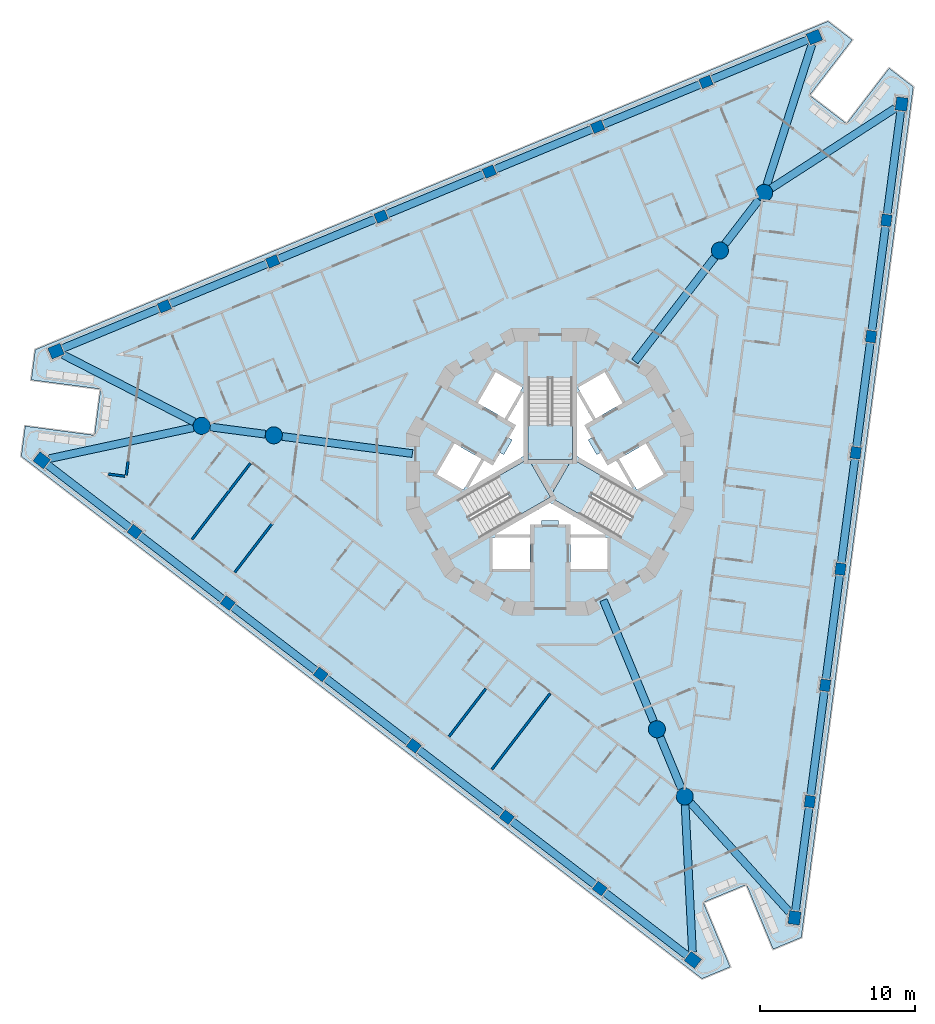
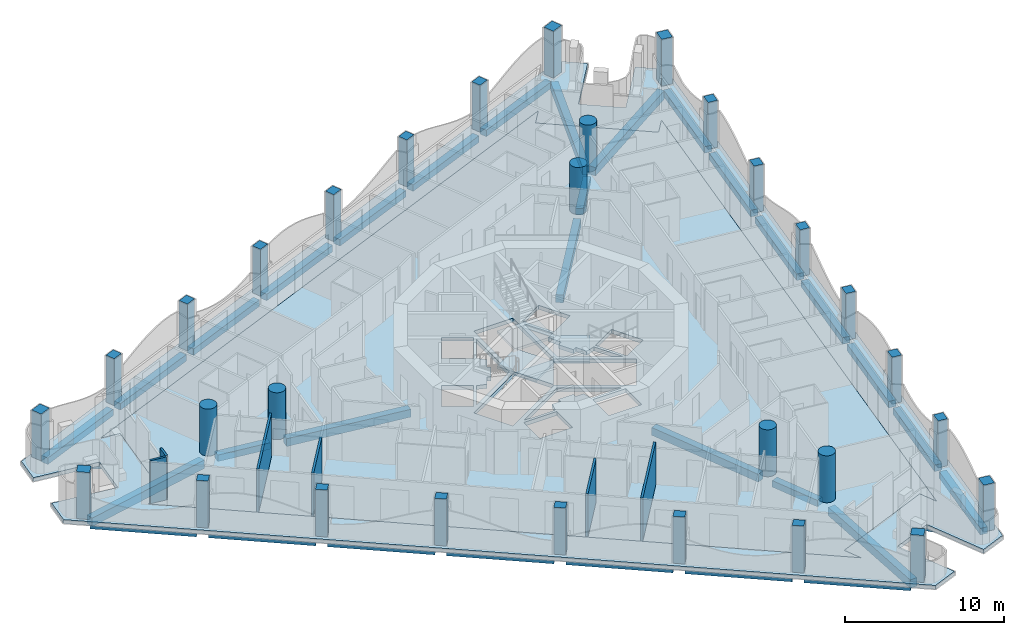
# One storey, part 1 of 17: 33 beams, 30 columns, 6 slabs, 6 walls, 3 elements without a shape of their own.
"""IFC4 building model written with IfcOpenShell, lengths in metres."""

from ifc_helpers import new_model, si_unit, direction, frame, frame_2d, origin, origin_2d, place, context, subcontext, project, spatial, polyline, rectangle, circle, outline, extrude, material, layer, layer_set, material_profile, profile_set, type_object, element, aggregate, save


model = new_model("IFC4")

# Units and contexts
model_context = context("Model", 3, precision=1e-05, world=origin(), true_north=direction((0.0, 1.0)))
body_context = subcontext(model_context, "Body", "Model", "MODEL_VIEW")
ifc_project = project(units=[si_unit("LENGTHUNIT", "METRE"), si_unit("AREAUNIT", "SQUARE_METRE"), si_unit("VOLUMEUNIT", "CUBIC_METRE"), si_unit("PLANEANGLEUNIT", "RADIAN"), si_unit("MASSUNIT", "GRAM", prefix="KILO")], contexts=[model_context])

# Site, building, storey
site_placement = place(None, origin())
site = spatial("IfcSite", under=ifc_project, at=site_placement, CompositionType="ELEMENT")
building_placement = place(site_placement, origin())
building = spatial("IfcBuilding", under=site, at=building_placement, Name="Trine Commons Tower", CompositionType="ELEMENT")
storey_placement = place(building_placement, frame((0.0, 0.0, 131.39990234375)))
storey = spatial("IfcBuildingStorey", under=building, at=storey_placement, Name="L33", CompositionType="ELEMENT", Elevation=131.39990234375)

# Columns
ifc_material_1 = material(Name="Concrete C70/85", Category="concrete")
ifc_material_profile_1 = material_profile(ifc_material_1, rectangle(XDim=0.75, YDim=0.64990234375, at=origin_2d()), Name="RC 750x650")
ifc_profile_set_1 = profile_set([ifc_material_profile_1], Name="Concrete C70/85")
column_type_1 = type_object("IfcColumnType", Name="RC column 750x650, C70/85", PredefinedType="COLUMN", material=ifc_profile_set_1)
for number, where, z_axis, x_axis, name in (
    (1, (83.197021484375, 35.652587890625, 0.0), (0.0, 0.0, 1.0), (-0.793353340291, 0.608761429009, 0.0), "Column PC4-02 L33"),
    (2, (77.20556640625, 40.25, 0.0), (0.0, 0.0, 1.0), (-0.793353340291, 0.608761429009, 0.0), "Column PC4-03 L33"),
    (3, (71.214111328125, 44.847412109375, 0.0), (0.0, 0.0, 1.0), (-0.793353340291, 0.608761429009, 0.0), "Column PC4-04 L33"),
    (4, (65.222900390625, 49.444580078125, 0.0), (0.0, 0.0, 1.0), (-0.793353340291, 0.608761429009, 0.0), "Column PC4-05 L33"),
    (5, (59.2314453125, 54.0419921875, 0.0), (0.0, 0.0, 1.0), (-0.793353340291, 0.608761429009, 0.0), "Column PC4-06 L33"),
    (6, (53.239990234375, 58.639404296875, 0.0), (0.0, 0.0, 1.0), (-0.793353340291, 0.608761429009, 0.0), "Column PC4-07 L33"),
    (7, (55.151123046875, 73.155029296875, 0.0), (0.0, 0.0, 1.0), (0.923879532511, 0.382683432365, 0.0), "Column PC4-10 L33"),
    (8, (62.128173828125, 76.044921875, 0.0), (0.0, 0.0, 1.0), (0.923879532511, 0.382683432365, 0.0), "Column PC4-11 L33"),
    (9, (69.105224609375, 78.93505859375, 0.0), (0.0, 0.0, 1.0), (0.923879532511, 0.382683432365, 0.0), "Column PC4-12 L33"),
    (10, (76.08251953125, 81.8251953125, 0.0), (0.0, 0.0, 1.0), (0.923879532511, 0.382683432365, 0.0), "Column PC4-13 L33"),
    (11, (83.0595703125, 84.715087890625, 0.0), (0.0, 0.0, 1.0), (0.923879532511, 0.382683432365, 0.0), "Column PC4-14 L33"),
    (12, (90.03662109375, 87.60498046875, 0.0), (0.0, 0.0, 1.0), (0.923879532511, 0.382683432365, 0.0), "Column PC4-15 L33"),
    (13, (101.652099609375, 78.692138671875, 0.0), (0.0, 0.0, 1.0), (0.13052619222, 0.991444861374, 0.0), "Column PC4-18 L33"),
    (14, (100.666259765625, 71.204833984375, 0.0), (0.0, 0.0, 1.0), (0.13052619222, 0.991444861374, 0.0), "Column PC4-19 L33"),
    (15, (99.680419921875, 63.717529296875, 0.0), (0.0, 0.0, 1.0), (0.13052619222, 0.991444861374, 0.0), "Column PC4-20 L33"),
    (16, (98.69482421875, 56.230224609375, 0.0), (0.0, 0.0, 1.0), (0.13052619222, 0.991444861374, 0.0), "Column PC4-21 L33"),
    (17, (97.708984375, 48.742919921875, 0.0), (0.0, 0.0, 1.0), (0.13052619222, 0.991444861374, 0.0), "Column PC4-22 L33"),
    (18, (96.723388671875, 41.255615234375, 0.0), (0.0, 0.0, 1.0), (0.13052619222, 0.991444861374, 0.0), "Column PC4-23 L33"),
):
    element("IfcColumn", number, at=place(storey_placement, frame(where, z_axis=z_axis, x_axis=x_axis)), inside=storey, type_object=column_type_1, Name=name, PredefinedType="COLUMN", context=body_context, shape_type="SweptSolid", body=[
        extrude(rectangle(XDim=0.75, YDim=0.64990234375, at=origin_2d()), origin(), (0.0, 0.0, 1.0), 3.60009765625),
    ])
ifc_material_profile_2 = material_profile(ifc_material_1, rectangle(XDim=0.85009765625, YDim=0.75, at=origin_2d()), Name="RC 850x750")
ifc_profile_set_2 = profile_set([ifc_material_profile_2], Name="Concrete C70/85")
column_type_2 = type_object("IfcColumnType", Name="RC column 850x750, C70/85", PredefinedType="COLUMN", material=ifc_profile_set_2)
for number, where, z_axis, x_axis, name in (
    (19, (89.188232421875, 31.055419921875, 0.0), (0.0, 0.0, 1.0), (-0.793353340291, 0.608761429009, 0.0), "Column PC4-01 L33"),
    (20, (47.248779296875, 63.23681640625, 0.0), (0.0, 0.0, 1.0), (-0.793353340291, 0.608761429009, 0.0), "Column PC4-08 L33"),
    (21, (48.174072265625, 70.264892578125, 0.0), (0.0, 0.0, 1.0), (0.923879532511, 0.382683432365, 0.0), "Column PC4-09 L33"),
    (22, (97.013671875, 90.4951171875, 0.0), (0.0, 0.0, 1.0), (0.923879532511, 0.382683432365, 0.0), "Column PC4-16 L33"),
    (23, (102.6376953125, 86.1796875, 0.0), (0.0, 0.0, 1.0), (0.13052619222, 0.991444861374, 0.0), "Column PC4-17 L33"),
    (24, (95.737548828125, 33.768310546875, 0.0), (0.0, 0.0, 1.0), (0.13052619222, 0.991444861374, 0.0), "Column PC4-24 L33"),
):
    element("IfcColumn", number, at=place(storey_placement, frame(where, z_axis=z_axis, x_axis=x_axis)), inside=storey, type_object=column_type_2, Name=name, PredefinedType="COLUMN", context=body_context, shape_type="SweptSolid", body=[
        extrude(rectangle(XDim=0.85009765625, YDim=0.75, at=origin_2d()), origin(), (0.0, 0.0, 1.0), 3.60009765625),
    ])
ifc_material_profile_3 = material_profile(ifc_material_1, circle(Radius=0.550048828125, at=origin_2d()), Name="RC round 1100")
ifc_profile_set_3 = profile_set([ifc_material_profile_3], Name="Concrete C70/85")
column_type_3 = type_object("IfcColumnType", Name="RC round column 1100 mm, C70/85", PredefinedType="COLUMN", material=ifc_profile_set_3)
for number, where, z_axis, x_axis, name in (
    (25, (86.87109375, 45.912109375, 0.0), (0.0, 0.0, 1.0), (1.0, 0.0, 0.0), "Column WC4-1 L33"),
    (26, (88.66259765625, 41.58642578125, 0.0), (0.0, 0.0, 1.0), (1.0, 0.0, 0.0), "Column WC4-2 L33"),
    (27, (90.93017578125, 76.744384765625, 0.0), (0.0, 0.0, 1.0), (1.0, 0.0, 0.0), "Column WC4-3 L33"),
    (28, (93.7802734375, 80.458984375, 0.0), (0.0, 0.0, 1.0), (1.0, 0.0, 0.0), "Column WC4-4 L33"),
    (29, (62.198974609375, 64.843505859375, 0.0), (0.0, 0.0, 1.0), (1.0, 0.0, 0.0), "Column WC4-5 L33"),
    (30, (57.556884765625, 65.45458984375, 0.0), (0.0, 0.0, 1.0), (1.0, 0.0, 0.0), "Column WC4-6 L33"),
):
    element("IfcColumn", number, at=place(storey_placement, frame(where, z_axis=z_axis, x_axis=x_axis)), inside=storey, type_object=column_type_3, Name=name, PredefinedType="COLUMN", context=body_context, shape_type="SweptSolid", body=[
        extrude(circle(Radius=0.550048828125, at=origin_2d()), origin(), (0.0, 0.0, 1.0), 3.60009765625),
    ])

# Beams
ifc_material_2 = material(Name="Concrete C50/60", Category="concrete")
ifc_material_profile_4 = material_profile(ifc_material_2, rectangle(XDim=0.5, YDim=0.5, at=origin_2d()), Name="RC 500x500")
ifc_profile_set_4 = profile_set([ifc_material_profile_4], Name="Concrete C50/60")
beam_type_1 = type_object("IfcBeamType", Name="RC beam 500x500, C50/60", PredefinedType="BEAM", material=ifc_profile_set_4)
beam_1_placement = place(storey_placement, frame((88.85107421875, 31.314208984375, -0.5498046875), z_axis=(-0.793369431695, 0.608740457709, 0.0), x_axis=(-0.608740457709, -0.793369431695, 0.0)))
element("IfcBeam", 31, at=beam_1_placement, inside=storey, type_object=beam_type_1, Name="Beam EB4-01 L33", PredefinedType="BEAM", context=body_context, shape_type="SweptSolid", body=[
    extrude(rectangle(XDim=0.5, YDim=0.5, at=origin_2d()), origin(), (0.0, 0.0, 1.0), 6.751708984375),
])
beam_2_placement = place(storey_placement, frame((82.8994140625, 35.881103515625, -0.5498046875), z_axis=(-0.793370600973, 0.60873893379, 0.0), x_axis=(-0.60873893379, -0.793370600973, 0.0)))
element("IfcBeam", 32, at=beam_2_placement, inside=storey, type_object=beam_type_1, Name="Beam EB4-02 L33", PredefinedType="BEAM", context=body_context, shape_type="SweptSolid", body=[
    extrude(rectangle(XDim=0.5, YDim=0.5, at=origin_2d()), origin(), (0.0, 0.0, 1.0), 6.802001953125),
])
beam_3_placement = place(storey_placement, frame((76.907958984375, 40.478515625, -0.5498046875), z_axis=(-0.793357299922, 0.608756268682, 0.0), x_axis=(-0.608756268682, -0.793357299922, 0.0)))
element("IfcBeam", 33, at=beam_3_placement, inside=storey, type_object=beam_type_1, Name="Beam EB4-03 L33", PredefinedType="BEAM", context=body_context, shape_type="SweptSolid", body=[
    extrude(rectangle(XDim=0.5, YDim=0.5, at=origin_2d()), origin(), (0.0, 0.0, 1.0), 6.8017578125),
])
beam_4_placement = place(storey_placement, frame((70.916748046875, 45.07568359375, -0.5498046875), z_axis=(-0.793370600973, 0.60873893379, 0.0), x_axis=(-0.60873893379, -0.793370600973, 0.0)))
element("IfcBeam", 34, at=beam_4_placement, inside=storey, type_object=beam_type_1, Name="Beam EB4-04 L33", PredefinedType="BEAM", context=body_context, shape_type="SweptSolid", body=[
    extrude(rectangle(XDim=0.5, YDim=0.5, at=origin_2d()), origin(), (0.0, 0.0, 1.0), 6.802001953125),
])
beam_5_placement = place(storey_placement, frame((64.92529296875, 49.673095703125, -0.5498046875), z_axis=(-0.793357299922, 0.608756268682, 0.0), x_axis=(-0.608756268682, -0.793357299922, 0.0)))
element("IfcBeam", 35, at=beam_5_placement, inside=storey, type_object=beam_type_1, Name="Beam EB4-05 L33", PredefinedType="BEAM", context=body_context, shape_type="SweptSolid", body=[
    extrude(rectangle(XDim=0.5, YDim=0.5, at=origin_2d()), origin(), (0.0, 0.0, 1.0), 6.8017578125),
])
beam_6_placement = place(storey_placement, frame((58.93408203125, 54.2705078125, -0.5498046875), z_axis=(-0.793370600973, 0.60873893379, 0.0), x_axis=(-0.60873893379, -0.793370600973, 0.0)))
element("IfcBeam", 36, at=beam_6_placement, inside=storey, type_object=beam_type_1, Name="Beam EB4-06 L33", PredefinedType="BEAM", context=body_context, shape_type="SweptSolid", body=[
    extrude(rectangle(XDim=0.5, YDim=0.5, at=origin_2d()), origin(), (0.0, 0.0, 1.0), 6.802001953125),
])
for number, where, z_axis, x_axis, name in (
    (37, (52.942626953125, 58.86767578125, -0.5498046875), (-0.793351968439, 0.608763216838, 0.0), (-0.608763216838, -0.793351968439, 0.0), "Beam EB4-07 L33"),
    (38, (48.566650390625, 70.427490234375, -0.5498046875), (0.923874044744, 0.382696680739, 0.0), (-0.382696680739, 0.923874044744, 0.0), "Beam EB4-08 L33"),
):
    element("IfcBeam", number, at=place(storey_placement, frame(where, z_axis=z_axis, x_axis=x_axis)), inside=storey, type_object=beam_type_1, Name=name, PredefinedType="BEAM", context=body_context, shape_type="SweptSolid", body=[
        extrude(rectangle(XDim=0.5, YDim=0.5, at=origin_2d()), origin(), (0.0, 0.0, 1.0), 6.751953125),
    ])
for number, where, z_axis, x_axis, name in (
    (39, (55.49755859375, 73.298583984375, -0.5498046875), (0.923877719045, 0.38268781043, 0.0), (-0.38268781043, 0.923877719045, 0.0), "Beam EB4-09 L33"),
    (40, (62.474609375, 76.1884765625, -0.5498046875), (0.923877719045, 0.38268781043, 0.0), (-0.38268781043, 0.923877719045, 0.0), "Beam EB4-10 L33"),
):
    element("IfcBeam", number, at=place(storey_placement, frame(where, z_axis=z_axis, x_axis=x_axis)), inside=storey, type_object=beam_type_1, Name=name, PredefinedType="BEAM", context=body_context, shape_type="SweptSolid", body=[
        extrude(rectangle(XDim=0.5, YDim=0.5, at=origin_2d()), origin(), (0.0, 0.0, 1.0), 6.802001953125),
    ])
for number, where, z_axis, x_axis, name in (
    (41, (69.451904296875, 79.07861328125, -0.5498046875), (0.923872462302, 0.382700500915, 0.0), (-0.382700500915, 0.923872462302, 0.0), "Beam EB4-11 L33"),
    (42, (76.428955078125, 81.968505859375, -0.5498046875), (0.923872462302, 0.382700500915, 0.0), (-0.382700500915, 0.923872462302, 0.0), "Beam EB4-12 L33"),
):
    element("IfcBeam", number, at=place(storey_placement, frame(where, z_axis=z_axis, x_axis=x_axis)), inside=storey, type_object=beam_type_1, Name=name, PredefinedType="BEAM", context=body_context, shape_type="SweptSolid", body=[
        extrude(rectangle(XDim=0.5, YDim=0.5, at=origin_2d()), origin(), (0.0, 0.0, 1.0), 6.8017578125),
    ])
beam_7_placement = place(storey_placement, frame((83.406005859375, 84.858642578125, -0.5498046875), z_axis=(0.923877719045, 0.38268781043, 0.0), x_axis=(-0.38268781043, 0.923877719045, 0.0)))
element("IfcBeam", 43, at=beam_7_placement, inside=storey, type_object=beam_type_1, Name="Beam EB4-13 L33", PredefinedType="BEAM", context=body_context, shape_type="SweptSolid", body=[
    extrude(rectangle(XDim=0.5, YDim=0.5, at=origin_2d()), origin(), (0.0, 0.0, 1.0), 6.802001953125),
])
beam_8_placement = place(storey_placement, frame((90.383056640625, 87.74853515625, -0.5498046875), z_axis=(0.923874044744, 0.382696680739, 0.0), x_axis=(-0.382696680739, 0.923874044744, 0.0)))
element("IfcBeam", 44, at=beam_8_placement, inside=storey, type_object=beam_type_1, Name="Beam EB4-14 L33", PredefinedType="BEAM", context=body_context, shape_type="SweptSolid", body=[
    extrude(rectangle(XDim=0.5, YDim=0.5, at=origin_2d()), origin(), (0.0, 0.0, 1.0), 6.751953125),
])
beam_9_placement = place(storey_placement, frame((102.582275390625, 85.75830078125, -0.5498046875), z_axis=(-0.130529338233, -0.991444447188, 0.0), x_axis=(0.991444447188, -0.130529338233, 0.0)))
element("IfcBeam", 45, at=beam_9_placement, inside=storey, type_object=beam_type_1, Name="Beam EB4-15 L33", PredefinedType="BEAM", context=body_context, shape_type="SweptSolid", body=[
    extrude(rectangle(XDim=0.5, YDim=0.5, at=origin_2d()), origin(), (0.0, 0.0, 1.0), 6.752197265625),
])
for number, where, z_axis, x_axis, name in (
    (46, (101.60302734375, 78.3203125, -0.5498046875), (-0.13054364647, -0.991442563322, 0.0), (0.991442563322, -0.13054364647, 0.0), "Beam EB4-16 L33"),
    (47, (100.6171875, 70.8330078125, -0.5498046875), (-0.13050836468, -0.991447208251, 0.0), (0.991447208251, -0.13050836468, 0.0), "Beam EB4-17 L33"),
    (48, (99.631591796875, 63.345703125, -0.5498046875), (-0.13054364647, -0.991442563322, 0.0), (0.991442563322, -0.13054364647, 0.0), "Beam EB4-18 L33"),
    (49, (98.64599609375, 55.8583984375, -0.5498046875), (-0.13054364647, -0.991442563322, 0.0), (0.991442563322, -0.13054364647, 0.0), "Beam EB4-19 L33"),
    (50, (97.66015625, 48.37109375, -0.5498046875), (-0.13054364647, -0.991442563322, 0.0), (0.991442563322, -0.13054364647, 0.0), "Beam EB4-20 L33"),
):
    element("IfcBeam", number, at=place(storey_placement, frame(where, z_axis=z_axis, x_axis=x_axis)), inside=storey, type_object=beam_type_1, Name=name, PredefinedType="BEAM", context=body_context, shape_type="SweptSolid", body=[
        extrude(rectangle(XDim=0.5, YDim=0.5, at=origin_2d()), origin(), (0.0, 0.0, 1.0), 6.8017578125),
    ])
beam_10_placement = place(storey_placement, frame((96.67431640625, 40.8837890625, -0.5498046875), z_axis=(-0.130498474521, -0.991448510084, 0.0), x_axis=(0.991448510084, -0.130498474521, 0.0)))
element("IfcBeam", 51, at=beam_10_placement, inside=storey, type_object=beam_type_1, Name="Beam EB4-21 L33", PredefinedType="BEAM", context=body_context, shape_type="SweptSolid", body=[
    extrude(rectangle(XDim=0.5, YDim=0.5, at=origin_2d()), origin(), (0.0, 0.0, 1.0), 6.751708984375),
])
beam_11_placement = place(storey_placement, frame((87.08154296875, 45.40380859375, -0.5498046875), z_axis=(0.382644753509, -0.92389555287, 0.0), x_axis=(0.92389555287, 0.382644753509, 0.0)))
element("IfcBeam", 52, at=beam_11_placement, inside=storey, type_object=beam_type_1, Name="Beam RB4-02 L33", PredefinedType="BEAM", context=body_context, shape_type="SweptSolid", body=[
    extrude(rectangle(XDim=0.5, YDim=0.5, at=origin_2d()), origin(), (0.0, 0.0, 1.0), 3.58203125),
])
beam_12_placement = place(storey_placement, frame((91.2646484375, 77.180419921875, -0.5498046875), z_axis=(0.608761938472, 0.793352949366, 0.0), x_axis=(-0.793352949366, 0.608761938472, 0.0)))
element("IfcBeam", 53, at=beam_12_placement, inside=storey, type_object=beam_type_1, Name="Beam RB4-04 L33", PredefinedType="BEAM", context=body_context, shape_type="SweptSolid", body=[
    extrude(rectangle(XDim=0.5, YDim=0.5, at=origin_2d()), origin(), (0.0, 0.0, 1.0), 3.5830078125),
])
beam_13_placement = place(storey_placement, frame((61.654296875, 64.915283203125, -0.5498046875), z_axis=(-0.991441999821, 0.13054792603, 0.0), x_axis=(-0.13054792603, -0.991441999821, 0.0)))
element("IfcBeam", 54, at=beam_13_placement, inside=storey, type_object=beam_type_1, Name="Beam RB4-06 L33", PredefinedType="BEAM", context=body_context, shape_type="SweptSolid", body=[
    extrude(rectangle(XDim=0.5, YDim=0.5, at=origin_2d()), origin(), (0.0, 0.0, 1.0), 3.583251953125),
])
ifc_material_profile_5 = material_profile(ifc_material_2, rectangle(XDim=0.5, YDim=0.60009765625, at=origin_2d()), Name="RC 500x600")
ifc_profile_set_5 = profile_set([ifc_material_profile_5], Name="Concrete C50/60")
beam_type_2 = type_object("IfcBeamType", Name="RC beam 500x600, C50/60", PredefinedType="BEAM", material=ifc_profile_set_5)
beam_14_placement = place(storey_placement, frame((83.426025390625, 54.228515625, -0.599853515625), z_axis=(0.382688551836, -0.92387741194, 0.0), x_axis=(0.92387741194, 0.382688551836, 0.0)))
element("IfcBeam", 55, at=beam_14_placement, inside=storey, type_object=beam_type_2, Name="Beam RB4-01 L33", PredefinedType="BEAM", context=body_context, shape_type="SweptSolid", body=[
    extrude(rectangle(XDim=0.5, YDim=0.60009765625, at=origin_2d()), origin(), (0.0, 0.0, 1.0), 8.45166015625),
])
for number, where, z_axis, x_axis, name in (
    (56, (85.4501953125, 69.602783203125, -0.599853515625), (0.608758331545, 0.793355717049, 0.0), (-0.793355717049, 0.608758331545, 0.0), "Beam RB4-03 L33"),
    (57, (71.123779296875, 63.668701171875, -0.599853515625), (-0.991444756637, 0.130526987771, 0.0), (-0.130526987771, -0.991444756637, 0.0), "Beam RB4-05 L33"),
):
    element("IfcBeam", number, at=place(storey_placement, frame(where, z_axis=z_axis, x_axis=x_axis)), inside=storey, type_object=beam_type_2, Name=name, PredefinedType="BEAM", context=body_context, shape_type="SweptSolid", body=[
        extrude(rectangle(XDim=0.5, YDim=0.60009765625, at=origin_2d()), origin(), (0.0, 0.0, 1.0), 8.452392578125),
    ])
ifc_material_profile_6 = material_profile(ifc_material_2, rectangle(XDim=0.5, YDim=0.64990234375, at=origin_2d()), Name="RC 500x650")
ifc_profile_set_6 = profile_set([ifc_material_profile_6], Name="Concrete C50/60")
beam_type_3 = type_object("IfcBeamType", Name="RC beam 500x650, C50/60", PredefinedType="BEAM", material=ifc_profile_set_6)
for number, where, z_axis, x_axis, name in (
    (58, (47.729736328125, 63.340087890625, -0.625), (0.977623092321, 0.210364182695, 0.0), (-0.210364182695, 0.977623092321, 0.0), "Beam CB4-01 L33"),
    (59, (48.61181640625, 70.04052734375, -0.625), (0.88987015168, -0.456213889692, 0.0), (0.456213889692, 0.88987015168, 0.0), "Beam CB4-02 L33"),
):
    element("IfcBeam", number, at=place(storey_placement, frame(where, z_axis=z_axis, x_axis=x_axis)), inside=storey, type_object=beam_type_3, Name=name, PredefinedType="BEAM", context=body_context, shape_type="SweptSolid", body=[
        extrude(rectangle(XDim=0.5, YDim=0.64990234375, at=origin_2d()), origin(), (0.0, 0.0, 1.0), 9.502685546875),
    ])
for number, where, z_axis, x_axis, name in (
    (60, (96.86279296875, 90.026611328125, -0.625), (-0.306661957359, -0.951818493153, 0.0), (0.951818493153, -0.306661957359, 0.0), "Beam CB4-03 L33"),
    (61, (102.224365234375, 85.91259765625, -0.625), (-0.840029620135, -0.542540539772, 0.0), (0.542540539772, -0.840029620135, 0.0), "Beam CB4-04 L33"),
):
    element("IfcBeam", number, at=place(storey_placement, frame(where, z_axis=z_axis, x_axis=x_axis)), inside=storey, type_object=beam_type_3, Name=name, PredefinedType="BEAM", context=body_context, shape_type="SweptSolid", body=[
        extrude(rectangle(XDim=0.5, YDim=0.64990234375, at=origin_2d()), origin(), (0.0, 0.0, 1.0), 9.50244140625),
    ])
beam_15_placement = place(storey_placement, frame((95.407470703125, 34.133056640625, -0.625), z_axis=(-0.670979247329, 0.74147612885, 0.0), x_axis=(-0.74147612885, -0.670979247329, 0.0)))
element("IfcBeam", 62, at=beam_15_placement, inside=storey, type_object=beam_type_3, Name="Beam CB4-05 L33", PredefinedType="BEAM", context=body_context, shape_type="SweptSolid", body=[
    extrude(rectangle(XDim=0.5, YDim=0.64990234375, at=origin_2d()), origin(), (0.0, 0.0, 1.0), 9.5029296875),
])
beam_16_placement = place(storey_placement, frame((89.163818359375, 31.546875, -0.625), z_axis=(-0.049841513837, 0.998757139398, 0.0), x_axis=(-0.998757139398, -0.049841513837, 0.0)))
element("IfcBeam", 63, at=beam_16_placement, inside=storey, type_object=beam_type_3, Name="Beam CB4-06 L33", PredefinedType="BEAM", context=body_context, shape_type="SweptSolid", body=[
    extrude(rectangle(XDim=0.5, YDim=0.64990234375, at=origin_2d()), origin(), (0.0, 0.0, 1.0), 9.502685546875),
])

# Slabs
ifc_layer_1 = layer(ifc_material_2, 0.300048828125)
ifc_layer_set_1 = layer_set([ifc_layer_1], Name="Concrete C50/60")
slab_type_1 = type_object("IfcSlabType", Name="Loggia slab 300 mm, C50/60", PredefinedType="FLOOR", material=ifc_layer_set_1)
slab_1_placement = place(storey_placement, frame((0.0, 0.0, -0.2998046875)))
element("IfcSlab", 64, at=slab_1_placement, inside=storey, type_object=slab_type_1, Name="Loggia slab L33", PredefinedType="FLOOR", context=body_context, shape_type="SweptSolid", body=[
    extrude(outline(polyline([(96.17578125, 32.500244140625), (103.38916015625, 87.291015625), (101.8310546875, 88.48681640625), (99.091552734375, 84.91650390625), (96.71142578125, 86.742919921875), (99.450927734375, 90.31298828125), (97.892578125, 91.508544921875), (46.835693359375, 70.360107421875), (46.579345703125, 68.412841796875), (51.041015625, 67.825439453125), (50.6494140625, 64.85107421875), (46.187744140625, 65.4384765625), (45.931396484375, 63.4912109375), (89.77490234375, 29.848876953125), (91.589599609375, 30.6005859375), (89.867431640625, 34.758056640625), (92.63916015625, 35.906005859375), (94.361328125, 31.74853515625), (96.17578125, 32.500244140625)]), holes=[polyline([(87.24658203125, 34.814208984375), (86.731689453125, 36.056884765625), (93.93798828125, 39.041748046875), (94.452880859375, 37.799072265625), (100.353271484375, 82.618408203125), (99.53466796875, 81.551513671875), (93.346435546875, 86.2998046875), (94.165283203125, 87.366943359375), (52.400146484375, 70.067138671875), (53.733642578125, 69.8916015625), (52.715576171875, 62.158447265625), (51.382080078125, 62.333984375), (87.24658203125, 34.814208984375)])]), origin(), (0.0, 0.0, 1.0), 0.2998046875),
])
ifc_layer_2 = layer(ifc_material_2, 0.300048828125)
ifc_layer_set_2 = layer_set([ifc_layer_2], Name="Concrete C50/60")
slab_type_2 = type_object("IfcSlabType", Name="PT flat slab 300 mm, C50/60", PredefinedType="FLOOR", material=ifc_layer_set_2)
slab_2_placement = place(storey_placement, frame((0.0, 0.0, -0.2998046875)))
element("IfcSlab", 65, at=slab_2_placement, inside=storey, type_object=slab_type_2, Name="Floor slab L33", PredefinedType="FLOOR", context=body_context, shape_type="SweptSolid", body=[
    extrude(outline(polyline([(51.382080078125, 62.333984375), (87.24658203125, 34.814208984375), (86.731689453125, 36.056884765625), (93.93798828125, 39.041748046875), (94.452880859375, 37.799072265625), (100.353271484375, 82.618408203125), (99.53466796875, 81.551513671875), (93.346435546875, 86.2998046875), (94.165283203125, 87.366943359375), (52.400146484375, 70.067138671875), (53.733642578125, 69.8916015625), (52.715576171875, 62.158447265625), (51.382080078125, 62.333984375)]), holes=[polyline([(78.699951171875, 56.25), (78.699951171875, 58.25), (76.300048828125, 58.25), (76.300048828125, 56.25), (78.699951171875, 56.25)]), polyline([(80.0, 60.8544921875), (84.4755859375, 58.2705078125), (85.900390625, 60.73876953125), (81.425048828125, 63.32275390625), (81.425048828125, 68.490478515625), (78.574951171875, 68.490478515625), (78.574951171875, 63.32275390625), (74.099609375, 60.73876953125), (75.5244140625, 58.2705078125), (80.0, 60.8544921875)]), polyline([(73.83740234375, 64.325927734375), (72.687255859375, 62.333984375), (74.41943359375, 61.333984375), (75.5693359375, 63.325927734375), (73.83740234375, 64.325927734375)]), polyline([(76.381103515625, 63.031005859375), (75.742919921875, 63.22607421875), (74.7099609375, 61.43798828125), (78.27490234375, 63.49609375), (78.27490234375, 67.612060546875), (77.242919921875, 65.823974609375), (77.73095703125, 65.368896484375), (77.3310546875, 64.676025390625), (77.555908203125, 64.5458984375), (77.006103515625, 63.593994140625), (76.781005859375, 63.722900390625), (76.381103515625, 63.031005859375)]), polyline([(76.4873046875, 68.916015625), (75.33740234375, 66.924072265625), (77.0693359375, 65.924072265625), (78.219482421875, 67.916015625), (76.4873046875, 68.916015625)]), polyline([(83.699951171875, 56.25), (83.699951171875, 58.25), (81.300048828125, 58.25), (81.300048828125, 56.25), (83.699951171875, 56.25)]), polyline([(81.14990234375, 59.10009765625), (81.300048828125, 58.449951171875), (83.56494140625, 58.449951171875), (80.0, 60.508056640625), (76.43505859375, 58.449951171875), (78.699951171875, 58.449951171875), (78.85009765625, 59.10009765625), (79.449951171875, 59.10009765625), (79.449951171875, 59.360107421875), (80.550048828125, 59.360107421875), (80.550048828125, 59.10009765625), (81.14990234375, 59.10009765625)]), polyline([(86.16259765625, 64.325927734375), (84.4306640625, 63.325927734375), (85.58056640625, 61.333984375), (87.312744140625, 62.333984375), (86.16259765625, 64.325927734375)]), polyline([(83.243896484375, 63.738037109375), (82.993896484375, 63.593994140625), (82.444091796875, 64.5458984375), (82.72705078125, 64.7099609375), (82.281005859375, 65.549072265625), (82.757080078125, 65.823974609375), (81.72509765625, 67.612060546875), (81.72509765625, 63.49609375), (85.2900390625, 61.43798828125), (84.257080078125, 63.22607421875), (83.618896484375, 63.031005859375), (83.243896484375, 63.738037109375)]), polyline([(84.66259765625, 66.924072265625), (83.5126953125, 68.916015625), (81.780517578125, 67.916015625), (82.9306640625, 65.924072265625), (84.66259765625, 66.924072265625)])]), origin(), (0.0, 0.0, 1.0), 0.2998046875),
])
slab_3_placement = place(storey_placement, frame((0.0, 0.0, -0.2998046875)))
element("IfcSlab", 66, at=slab_3_placement, inside=storey, type_object=slab_type_2, Name="Floor slab L33 2", PredefinedType="FLOOR", context=body_context, shape_type="SweptSolid", body=[
    extrude(outline(polyline([(78.61328125, 63.300537109375), (80.0, 60.89892578125), (81.38671875, 63.300537109375), (78.61328125, 63.300537109375)])), origin(), (0.0, 0.0, 1.0), 0.2998046875),
])

# Stair, slab
stair_type = type_object("IfcStairType", Name="Exit stair, dog-leg, 24 risers of 150 mm", PredefinedType="HALF_TURN_STAIR", material=ifc_material_2)
stair_1_placement = place(storey_placement, origin())
stair_1 = element("IfcStair", 67, at=stair_1_placement, inside=storey, type_object=stair_type, Name="L33 Exit stair ST1B", PredefinedType="HALF_TURN_STAIR")
ifc_layer_3 = layer(ifc_material_2, 0.199951171875)
ifc_layer_set_3 = layer_set([ifc_layer_3], Name="Concrete C50/60")
slab_type_3 = type_object("IfcSlabType", Name="Stair landing slab 200 mm, C50/60", PredefinedType="LANDING", material=ifc_layer_set_3)
slab_4_placement = place(storey_placement, frame((0.0, 0.0, 1.60009765625)))
slab_4 = element("IfcSlab", 68, at=slab_4_placement, type_object=slab_type_3, Name="ST1B landing 1", PredefinedType="LANDING", context=body_context, shape_type="SweptSolid", body=[
    extrude(outline(polyline([(78.574951171875, 65.570556640625), (78.574951171875, 63.300537109375), (81.425048828125, 63.300537109375), (81.425048828125, 65.570556640625), (78.574951171875, 65.570556640625)])), origin(), (0.0, 0.0, 1.0), 0.199951171875),
])
aggregate(stair_1, [slab_4])

stair_2_placement = place(storey_placement, origin())
stair_2 = element("IfcStair", 69, at=stair_2_placement, inside=storey, type_object=stair_type, Name="L33 Exit stair ST2B", PredefinedType="HALF_TURN_STAIR")
slab_5_placement = place(storey_placement, frame((0.0, 0.0, 1.60009765625)))
slab_5 = element("IfcSlab", 70, at=slab_5_placement, type_object=slab_type_3, Name="ST2B landing 1", PredefinedType="LANDING", context=body_context, shape_type="SweptSolid", body=[
    extrude(outline(polyline([(78.05322265625, 59.730712890625), (80.019287109375, 60.86572265625), (78.59423828125, 63.333740234375), (76.628173828125, 62.19873046875), (78.05322265625, 59.730712890625)])), origin(), (0.0, 0.0, 1.0), 0.199951171875),
])
aggregate(stair_2, [slab_5])

stair_3_placement = place(storey_placement, origin())
stair_3 = element("IfcStair", 71, at=stair_3_placement, inside=storey, type_object=stair_type, Name="L33 Exit stair ST3B", PredefinedType="HALF_TURN_STAIR")
slab_6_placement = place(storey_placement, frame((0.0, 0.0, 1.60009765625)))
slab_6 = element("IfcSlab", 72, at=slab_6_placement, type_object=slab_type_3, Name="ST3B landing 1", PredefinedType="LANDING", context=body_context, shape_type="SweptSolid", body=[
    extrude(outline(polyline([(83.371826171875, 62.19873046875), (81.40576171875, 63.333740234375), (79.980712890625, 60.86572265625), (81.94677734375, 59.730712890625), (83.371826171875, 62.19873046875)])), origin(), (0.0, 0.0, 1.0), 0.199951171875),
])
aggregate(stair_3, [slab_6])

# Walls
ifc_material_3 = material(Name="Aluminium-framed insulated wall panel", Category="aluminium")
ifc_layer_4 = layer(ifc_material_3, 0.14990234375)
ifc_layer_set_4 = layer_set([ifc_layer_4], Name="Aluminium-framed insulated wall panel")
wall_type_1 = type_object("IfcWallType", Name="Glazed frame wall 150, EI 60", PredefinedType="SOLIDWALL", material=ifc_layer_set_4)
wall_1_placement = place(storey_placement, frame((51.38671875, 62.36865234375, 0.0), z_axis=(0.0, 0.0, 1.0), x_axis=(0.991446880033, -0.130510858064, 0.0)))
element("IfcWall", 73, at=wall_1_placement, inside=storey, type_object=wall_type_1, Name="Glazed frame wall R1", PredefinedType="SOLIDWALL", context=body_context, shape_type="SweptSolid", body=[
    extrude(outline(polyline([(0.1494140625, 0.074951171875), (0.1494140625, -0.074951171875), (1.235107421875, -0.074951171875), (1.235107421875, 0.074951171875), (0.1494140625, 0.074951171875)])), origin(), (0.0, 0.0, 1.0), 3.300048828125),
])
wall_2_placement = place(storey_placement, frame((52.680908203125, 62.1630859375, 0.0), z_axis=(0.0, 0.0, 1.0), x_axis=(0.130403976344, 0.991460943736, 0.0)))
element("IfcWall", 74, at=wall_2_placement, inside=storey, type_object=wall_type_1, Name="Glazed frame wall P1.1", PredefinedType="SOLIDWALL", context=body_context, shape_type="SweptSolid", body=[
    extrude(outline(polyline([(0.110107421875, -0.074951171875), (1.0, -0.074951171875), (1.0, 0.074951171875), (0.110107421875, 0.074951171875), (0.110107421875, -0.074951171875)])), origin(), (0.0, 0.0, 1.0), 3.300048828125),
])
ifc_material_4 = material(Name="Gypsum plasterboard on steel stud", Category="steel")
ifc_layer_5 = layer(ifc_material_4, 0.14990234375)
ifc_layer_set_5 = layer_set([ifc_layer_5], Name="Gypsum plasterboard on steel stud")
wall_type_2 = type_object("IfcWallType", Name="Unit and corridor wall 150 mm, EI 60", PredefinedType="PARTITIONING", material=ifc_layer_set_5)
wall_3_placement = place(storey_placement, frame((56.92431640625, 58.131591796875, 0.0), z_axis=(0.0, 0.0, 1.0), x_axis=(0.608635904236, 0.793449643062, 0.0)))
element("IfcWall", 75, at=wall_3_placement, inside=storey, type_object=wall_type_2, Name="Partition 003", PredefinedType="PARTITIONING", context=body_context, shape_type="SweptSolid", body=[
    extrude(rectangle(XDim=6.194091796875, YDim=0.14990234375, at=frame_2d((3.09716796875, 0.0))), origin(), (0.0, 0.0, 1.0), 3.300048828125),
])
wall_4_placement = place(storey_placement, frame((59.682373046875, 56.0146484375, 0.0), z_axis=(0.0, 0.0, 1.0), x_axis=(0.608733348698, 0.793374886282, 0.0)))
element("IfcWall", 76, at=wall_4_placement, inside=storey, type_object=wall_type_2, Name="Partition 012", PredefinedType="PARTITIONING", context=body_context, shape_type="SweptSolid", body=[
    extrude(rectangle(XDim=3.973388671875, YDim=0.14990234375, at=frame_2d((1.98681640625, 0.0))), origin(), (0.0, 0.0, 1.0), 3.300048828125),
])
wall_5_placement = place(storey_placement, frame((73.476318359375, 45.4306640625, 0.0), z_axis=(0.0, 0.0, 1.0), x_axis=(0.608903577747, 0.793244245493, 0.0)))
element("IfcWall", 77, at=wall_5_placement, inside=storey, type_object=wall_type_2, Name="Partition 050", PredefinedType="PARTITIONING", context=body_context, shape_type="SweptSolid", body=[
    extrude(rectangle(XDim=3.9189453125, YDim=0.14990234375, at=frame_2d((1.95947265625, 0.0))), origin(), (0.0, 0.0, 1.0), 3.300048828125),
])
wall_6_placement = place(storey_placement, frame((76.2353515625, 43.313720703125, 0.0), z_axis=(0.0, 0.0, 1.0), x_axis=(0.608811285709, 0.79331508141, 0.0)))
element("IfcWall", 78, at=wall_6_placement, inside=storey, type_object=wall_type_2, Name="Partition 057", PredefinedType="PARTITIONING", context=body_context, shape_type="SweptSolid", body=[
    extrude(rectangle(XDim=6.194091796875, YDim=0.14990234375, at=frame_2d((3.09716796875, 0.0))), origin(), (0.0, 0.0, 1.0), 3.300048828125),
])

save(model, "model.ifc")
